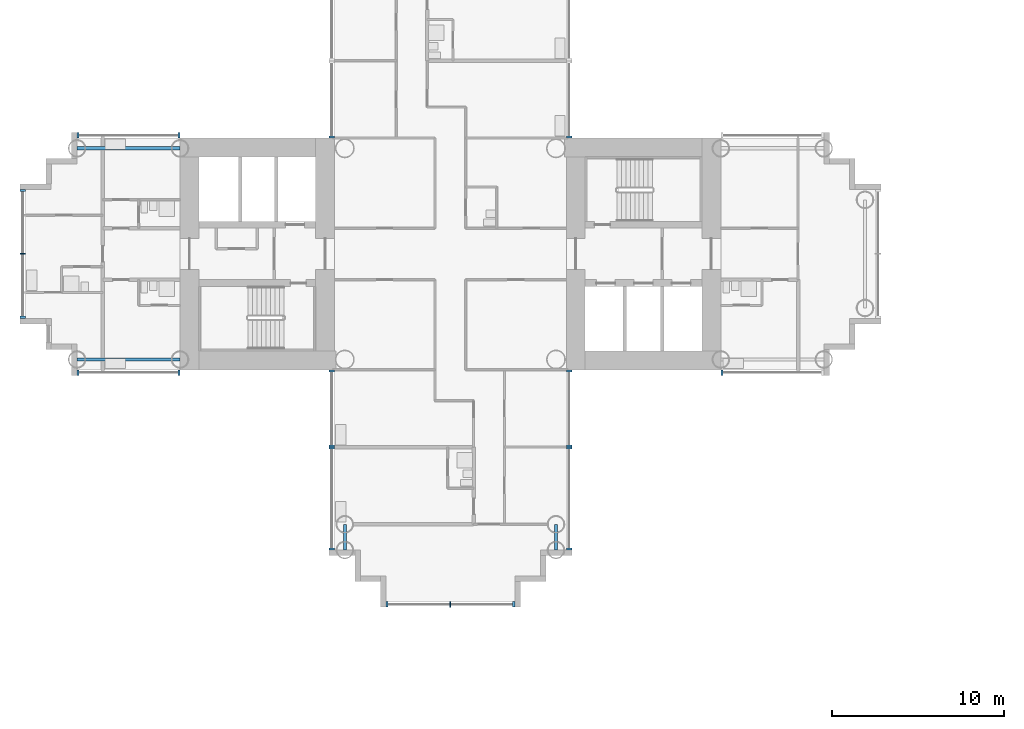
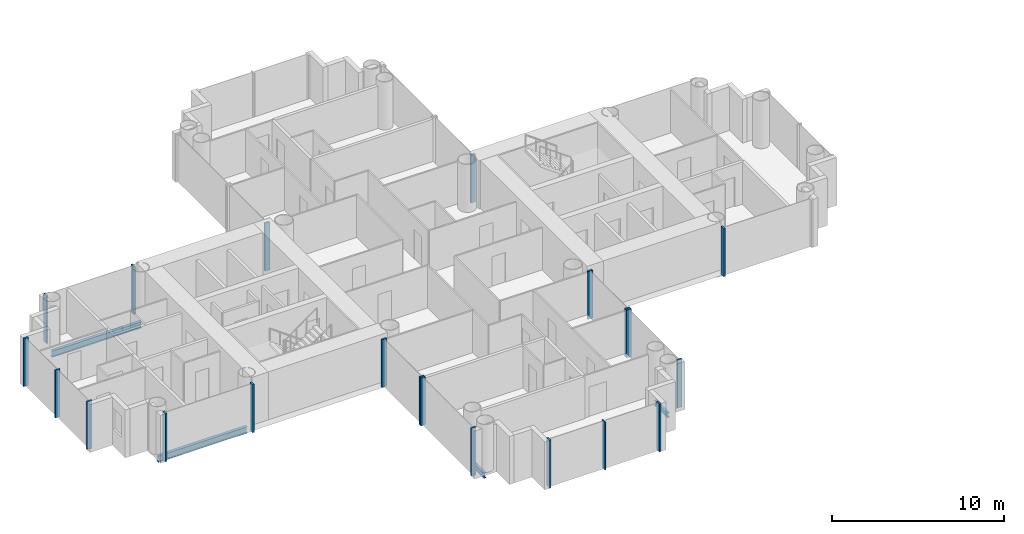
# One storey, part 3 of 21: 21 members, 4 beams, 11 elements without a shape of their own.
"""IFC4 building model written with IfcOpenShell, lengths in metres."""

from ifc_helpers import new_model, si_unit, direction, frame, origin, origin_2d, place, context, subcontext, project, spatial, rectangle, i_section, extrude, material, layer, layer_set, material_profile, profile_set, type_object, element, aggregate, save


model = new_model("IFC4")

# Units and contexts
model_context = context("Model", 3, precision=1e-05, world=origin(), true_north=direction((0.0, 1.0)))
body_context = subcontext(model_context, "Body", "Model", "MODEL_VIEW")
ifc_project = project(units=[si_unit("LENGTHUNIT", "METRE"), si_unit("AREAUNIT", "SQUARE_METRE"), si_unit("VOLUMEUNIT", "CUBIC_METRE"), si_unit("PLANEANGLEUNIT", "RADIAN"), si_unit("MASSUNIT", "GRAM", prefix="KILO")], contexts=[model_context])

# Site, building, storey
site_placement = place(None, origin())
site = spatial("IfcSite", under=ifc_project, at=site_placement, CompositionType="ELEMENT")
building_placement = place(site_placement, origin())
building = spatial("IfcBuilding", under=site, at=building_placement, Name="Ipe Terrace Towers", CompositionType="ELEMENT")
storey_placement = place(building_placement, frame((0.0, 0.0, 41.5)))
storey = spatial("IfcBuildingStorey", under=building, at=storey_placement, Name="L10", CompositionType="ELEMENT", Elevation=41.5)

# Beams
ifc_material_1 = material(Name="Steel S355", Category="steel")
ifc_material_profile_1 = material_profile(ifc_material_1, i_section(OverallWidth=0.175048828125, OverallDepth=0.35009765625, WebThickness=0.007080078125, FlangeThickness=0.010986328125, at=origin_2d()), Name="H-350x175x7x11")
ifc_profile_set_1 = profile_set([ifc_material_profile_1], Name="Steel S355")
beam_type_1 = type_object("IfcBeamType", Name="H04 EDGE BEAM H-350x175x7x11", PredefinedType="BEAM", material=ifc_profile_set_1)
for number, where, z_axis, x_axis, name in (
    (1, (-42.14990234375, -15.75, -0.574951171875), (0.0, -1.0, 0.0), (1.0, 0.0, 0.0), "Edge beam T1-EB-D03-D05"),
    (2, (-29.85009765625, -15.75, -0.574951171875), (0.0, -1.0, 0.0), (1.0, 0.0, 0.0), "Edge beam T1-EB-D04-D06"),
):
    element("IfcBeam", number, at=place(storey_placement, frame(where, z_axis=z_axis, x_axis=x_axis)), inside=storey, type_object=beam_type_1, Name=name, PredefinedType="BEAM", context=body_context, shape_type="SweptSolid", body=[
        extrude(i_section(OverallWidth=0.175048828125, OverallDepth=0.35009765625, WebThickness=0.007080078125, FlangeThickness=0.010986328125, at=origin_2d()), origin(), (0.0, 0.0, 1.0), 1.5),
    ])
ifc_material_2 = material(Name="Steel S355", Category="steel")
ifc_material_profile_2 = material_profile(ifc_material_2, i_section(OverallWidth=0.199951171875, OverallDepth=0.449951171875, WebThickness=0.009033203125, FlangeThickness=0.013916015625, at=origin_2d()), Name="H-450x200x9x14")
ifc_profile_set_2 = profile_set([ifc_material_profile_2], Name="Steel S355")
beam_type_2 = type_object("IfcBeamType", Name="H08 EDGE BEAM H-450x200x9x14", PredefinedType="BEAM", material=ifc_profile_set_2)
for number, where, z_axis, x_axis, name in (
    (3, (-51.75, -6.14990234375, -0.625), (-1.0, 0.0, 0.0), (0.0, -1.0, 0.0), "Edge beam T1-EB-C01-C03"),
    (4, (-51.75, 6.14990234375, -0.625), (-1.0, 0.0, 0.0), (0.0, -1.0, 0.0), "Edge beam T1-EB-C02-C04"),
):
    element("IfcBeam", number, at=place(storey_placement, frame(where, z_axis=z_axis, x_axis=x_axis)), inside=storey, type_object=beam_type_2, Name=name, PredefinedType="BEAM", context=body_context, shape_type="SweptSolid", body=[
        extrude(i_section(OverallWidth=0.199951171875, OverallDepth=0.449951171875, WebThickness=0.009033203125, FlangeThickness=0.013916015625, at=origin_2d()), origin(), (0.0, 0.0, 1.0), 6.0),
    ])

# Curtain wall, members
ifc_material_3 = material(Name="Aluminium alloy 6063-T6", Category="aluminium")
ifc_layer = layer(ifc_material_3, 0.320068359375)
ifc_layer_set = layer_set([ifc_layer], Name="TOWER UNITISED CURTAIN WALL")
curtain_wall_type = type_object("IfcCurtainWallType", Name="TOWER UNITISED CURTAIN WALL", PredefinedType="NOTDEFINED", material=ifc_layer_set)
curtain_wall_1_placement = place(storey_placement, origin())
curtain_wall_1 = element("IfcCurtainWall", 5, at=curtain_wall_1_placement, inside=storey, type_object=curtain_wall_type, Name="T1-CW-L10-04a curtain wall", PredefinedType="NOTDEFINED")
ifc_material_4 = material(Name="Aluminium alloy 6063-T6", Category="aluminium")
ifc_material_profile_3 = material_profile(ifc_material_4, rectangle(XDim=0.320068359375, YDim=0.1201171875, at=origin_2d()), Name="TOWER UNITISED CORNER MULLION 320 x 120")
ifc_profile_set_3 = profile_set([ifc_material_profile_3], Name="Aluminium alloy 6063-T6")
member_type_1 = type_object("IfcMemberType", Name="TOWER UNITISED CORNER MULLION 320 x 120", PredefinedType="MULLION", material=ifc_profile_set_3)
member_1_placement = place(storey_placement, frame((-57.68994140625, -6.909912109375, -0.300048828125), z_axis=(0.0, 0.0, 1.0), x_axis=(0.0, -1.0, 0.0)))
member_1 = element("IfcMember", 6, at=member_1_placement, type_object=member_type_1, Name="T1-CW-L10-04a mullion 1", PredefinedType="MULLION", context=body_context, shape_type="SweptSolid", body=[
    extrude(rectangle(XDim=0.320068359375, YDim=0.1201171875, at=origin_2d()), origin(), (0.0, 0.0, 1.0), 3.400146484375),
])
member_2_placement = place(storey_placement, frame((-51.81103515625, -6.909912109375, -0.300048828125), z_axis=(0.0, 0.0, 1.0), x_axis=(0.0, -1.0, 0.0)))
member_2 = element("IfcMember", 7, at=member_2_placement, type_object=member_type_1, Name="T1-CW-L10-04a mullion 2", PredefinedType="MULLION", context=body_context, shape_type="SweptSolid", body=[
    extrude(rectangle(XDim=0.320068359375, YDim=0.1201171875, at=origin_2d()), origin(), (0.0, 0.0, 1.0), 3.400146484375),
])
aggregate(curtain_wall_1, [member_1, member_2])

curtain_wall_2_placement = place(storey_placement, origin())
curtain_wall_2 = element("IfcCurtainWall", 8, at=curtain_wall_2_placement, inside=storey, type_object=curtain_wall_type, Name="T1-CW-L10-06a curtain wall", PredefinedType="NOTDEFINED")
member_3_placement = place(storey_placement, frame((-42.909912109375, -6.81005859375, -0.300048828125), z_axis=(0.0, 0.0, 1.0), x_axis=(-1.0, 0.0, 0.0)))
member_3 = element("IfcMember", 9, at=member_3_placement, type_object=member_type_1, Name="T1-CW-L10-06a mullion 1", PredefinedType="MULLION", context=body_context, shape_type="SweptSolid", body=[
    extrude(rectangle(XDim=0.320068359375, YDim=0.1201171875, at=origin_2d()), origin(), (0.0, 0.0, 1.0), 3.400146484375),
])
member_4_placement = place(storey_placement, frame((-42.909912109375, -11.18994140625, -0.300048828125), z_axis=(0.0, 0.0, 1.0), x_axis=(-1.0, 0.0, 0.0)))
member_4 = element("IfcMember", 10, at=member_4_placement, type_object=member_type_1, Name="T1-CW-L10-06a mullion 2", PredefinedType="MULLION", context=body_context, shape_type="SweptSolid", body=[
    extrude(rectangle(XDim=0.320068359375, YDim=0.1201171875, at=origin_2d()), origin(), (0.0, 0.0, 1.0), 3.400146484375),
])
aggregate(curtain_wall_2, [member_3, member_4])

curtain_wall_3_placement = place(storey_placement, origin())
curtain_wall_3 = element("IfcCurtainWall", 11, at=curtain_wall_3_placement, inside=storey, type_object=curtain_wall_type, Name="T1-CW-L10-07a curtain wall", PredefinedType="NOTDEFINED")
member_5_placement = place(storey_placement, frame((-42.909912109375, -11.31005859375, -0.300048828125), z_axis=(0.0, 0.0, 1.0), x_axis=(-1.0, 0.0, 0.0)))
member_5 = element("IfcMember", 12, at=member_5_placement, type_object=member_type_1, Name="T1-CW-L10-07a mullion 1", PredefinedType="MULLION", context=body_context, shape_type="SweptSolid", body=[
    extrude(rectangle(XDim=0.320068359375, YDim=0.1201171875, at=origin_2d()), origin(), (0.0, 0.0, 1.0), 3.400146484375),
])
member_6_placement = place(storey_placement, frame((-42.909912109375, -17.18994140625, -0.300048828125), z_axis=(0.0, 0.0, 1.0), x_axis=(-1.0, 0.0, 0.0)))
member_6 = element("IfcMember", 13, at=member_6_placement, type_object=member_type_1, Name="T1-CW-L10-07a mullion 2", PredefinedType="MULLION", context=body_context, shape_type="SweptSolid", body=[
    extrude(rectangle(XDim=0.320068359375, YDim=0.1201171875, at=origin_2d()), origin(), (0.0, 0.0, 1.0), 3.400146484375),
])
aggregate(curtain_wall_3, [member_5, member_6])

curtain_wall_4_placement = place(storey_placement, origin())
curtain_wall_4 = element("IfcCurtainWall", 14, at=curtain_wall_4_placement, inside=storey, type_object=curtain_wall_type, Name="T1-CW-L10-12a curtain wall", PredefinedType="NOTDEFINED")
member_7_placement = place(storey_placement, frame((-39.68994140625, -20.409912109375, -0.300048828125), z_axis=(0.0, 0.0, 1.0), x_axis=(0.0, -1.0, 0.0)))
member_7 = element("IfcMember", 15, at=member_7_placement, type_object=member_type_1, Name="T1-CW-L10-12a mullion 1", PredefinedType="MULLION", context=body_context, shape_type="SweptSolid", body=[
    extrude(rectangle(XDim=0.320068359375, YDim=0.1201171875, at=origin_2d()), origin(), (0.0, 0.0, 1.0), 3.400146484375),
])
member_8_placement = place(storey_placement, frame((-32.31005859375, -20.409912109375, -0.300048828125), z_axis=(0.0, 0.0, 1.0), x_axis=(0.0, -1.0, 0.0)))
member_8 = element("IfcMember", 16, at=member_8_placement, type_object=member_type_1, Name="T1-CW-L10-12a mullion 3", PredefinedType="MULLION", context=body_context, shape_type="SweptSolid", body=[
    extrude(rectangle(XDim=0.320068359375, YDim=0.1201171875, at=origin_2d()), origin(), (0.0, 0.0, 1.0), 3.400146484375),
])

curtain_wall_5_placement = place(storey_placement, origin())
curtain_wall_5 = element("IfcCurtainWall", 17, at=curtain_wall_5_placement, inside=storey, type_object=curtain_wall_type, Name="T1-CW-L10-17a curtain wall", PredefinedType="NOTDEFINED")
member_9_placement = place(storey_placement, frame((-29.090087890625, -17.18994140625, -0.300048828125), z_axis=(0.0, 0.0, 1.0), x_axis=(1.0, 0.0, 0.0)))
member_9 = element("IfcMember", 18, at=member_9_placement, type_object=member_type_1, Name="T1-CW-L10-17a mullion 1", PredefinedType="MULLION", context=body_context, shape_type="SweptSolid", body=[
    extrude(rectangle(XDim=0.320068359375, YDim=0.1201171875, at=origin_2d()), origin(), (0.0, 0.0, 1.0), 3.400146484375),
])
member_10_placement = place(storey_placement, frame((-29.090087890625, -11.31005859375, -0.300048828125), z_axis=(0.0, 0.0, 1.0), x_axis=(1.0, 0.0, 0.0)))
member_10 = element("IfcMember", 19, at=member_10_placement, type_object=member_type_1, Name="T1-CW-L10-17a mullion 2", PredefinedType="MULLION", context=body_context, shape_type="SweptSolid", body=[
    extrude(rectangle(XDim=0.320068359375, YDim=0.1201171875, at=origin_2d()), origin(), (0.0, 0.0, 1.0), 3.400146484375),
])
aggregate(curtain_wall_5, [member_9, member_10])

curtain_wall_6_placement = place(storey_placement, origin())
curtain_wall_6 = element("IfcCurtainWall", 20, at=curtain_wall_6_placement, inside=storey, type_object=curtain_wall_type, Name="T1-CW-L10-18a curtain wall", PredefinedType="NOTDEFINED")
member_11_placement = place(storey_placement, frame((-29.090087890625, -11.18994140625, -0.300048828125), z_axis=(0.0, 0.0, 1.0), x_axis=(1.0, 0.0, 0.0)))
member_11 = element("IfcMember", 21, at=member_11_placement, type_object=member_type_1, Name="T1-CW-L10-18a mullion 1", PredefinedType="MULLION", context=body_context, shape_type="SweptSolid", body=[
    extrude(rectangle(XDim=0.320068359375, YDim=0.1201171875, at=origin_2d()), origin(), (0.0, 0.0, 1.0), 3.400146484375),
])
member_12_placement = place(storey_placement, frame((-29.090087890625, -6.81005859375, -0.300048828125), z_axis=(0.0, 0.0, 1.0), x_axis=(1.0, 0.0, 0.0)))
member_12 = element("IfcMember", 22, at=member_12_placement, type_object=member_type_1, Name="T1-CW-L10-18a mullion 2", PredefinedType="MULLION", context=body_context, shape_type="SweptSolid", body=[
    extrude(rectangle(XDim=0.320068359375, YDim=0.1201171875, at=origin_2d()), origin(), (0.0, 0.0, 1.0), 3.400146484375),
])
aggregate(curtain_wall_6, [member_11, member_12])

# Curtain wall, member
curtain_wall_7_placement = place(storey_placement, origin())
curtain_wall_7 = element("IfcCurtainWall", 23, at=curtain_wall_7_placement, inside=storey, type_object=curtain_wall_type, Name="T1-CW-L10-20b curtain wall", PredefinedType="NOTDEFINED")
member_13_placement = place(storey_placement, frame((-20.18896484375, -6.909912109375, -0.300048828125), z_axis=(0.0, 0.0, 1.0), x_axis=(0.0, -1.0, 0.0)))
member_13 = element("IfcMember", 24, at=member_13_placement, type_object=member_type_1, Name="T1-CW-L10-20b mullion 1", PredefinedType="MULLION", context=body_context, shape_type="SweptSolid", body=[
    extrude(rectangle(XDim=0.320068359375, YDim=0.1201171875, at=origin_2d()), origin(), (0.0, 0.0, 1.0), 3.400146484375),
])
aggregate(curtain_wall_7, [member_13])

curtain_wall_8_placement = place(storey_placement, origin())
curtain_wall_8 = element("IfcCurtainWall", 25, at=curtain_wall_8_placement, inside=storey, type_object=curtain_wall_type, Name="T1-CW-L10-32a curtain wall", PredefinedType="NOTDEFINED")
member_14_placement = place(storey_placement, frame((-29.090087890625, 6.81005859375, -0.300048828125), z_axis=(0.0, 0.0, 1.0), x_axis=(1.0, 0.0, 0.0)))
member_14 = element("IfcMember", 26, at=member_14_placement, type_object=member_type_1, Name="T1-CW-L10-32a mullion 1", PredefinedType="MULLION", context=body_context, shape_type="SweptSolid", body=[
    extrude(rectangle(XDim=0.320068359375, YDim=0.1201171875, at=origin_2d()), origin(), (0.0, 0.0, 1.0), 3.400146484375),
])
aggregate(curtain_wall_8, [member_14])

curtain_wall_9_placement = place(storey_placement, origin())
curtain_wall_9 = element("IfcCurtainWall", 27, at=curtain_wall_9_placement, inside=storey, type_object=curtain_wall_type, Name="T1-CW-L10-44a curtain wall", PredefinedType="NOTDEFINED")
member_15_placement = place(storey_placement, frame((-42.909912109375, 6.81005859375, -0.300048828125), z_axis=(0.0, 0.0, 1.0), x_axis=(-1.0, 0.0, 0.0)))
member_15 = element("IfcMember", 28, at=member_15_placement, type_object=member_type_1, Name="T1-CW-L10-44a mullion 2", PredefinedType="MULLION", context=body_context, shape_type="SweptSolid", body=[
    extrude(rectangle(XDim=0.320068359375, YDim=0.1201171875, at=origin_2d()), origin(), (0.0, 0.0, 1.0), 3.400146484375),
])
aggregate(curtain_wall_9, [member_15])

# Curtain wall, members
curtain_wall_10_placement = place(storey_placement, origin())
curtain_wall_10 = element("IfcCurtainWall", 29, at=curtain_wall_10_placement, inside=storey, type_object=curtain_wall_type, Name="T1-CW-L10-46b curtain wall", PredefinedType="NOTDEFINED")
member_16_placement = place(storey_placement, frame((-51.81103515625, 6.909912109375, -0.300048828125), z_axis=(0.0, 0.0, 1.0), x_axis=(0.0, 1.0, 0.0)))
member_16 = element("IfcMember", 30, at=member_16_placement, type_object=member_type_1, Name="T1-CW-L10-46b mullion 1", PredefinedType="MULLION", context=body_context, shape_type="SweptSolid", body=[
    extrude(rectangle(XDim=0.320068359375, YDim=0.1201171875, at=origin_2d()), origin(), (0.0, 0.0, 1.0), 3.400146484375),
])
member_17_placement = place(storey_placement, frame((-57.68994140625, 6.909912109375, -0.300048828125), z_axis=(0.0, 0.0, 1.0), x_axis=(0.0, 1.0, 0.0)))
member_17 = element("IfcMember", 31, at=member_17_placement, type_object=member_type_1, Name="T1-CW-L10-46b mullion 2", PredefinedType="MULLION", context=body_context, shape_type="SweptSolid", body=[
    extrude(rectangle(XDim=0.320068359375, YDim=0.1201171875, at=origin_2d()), origin(), (0.0, 0.0, 1.0), 3.400146484375),
])
aggregate(curtain_wall_10, [member_16, member_17])

curtain_wall_11_placement = place(storey_placement, origin())
curtain_wall_11 = element("IfcCurtainWall", 32, at=curtain_wall_11_placement, inside=storey, type_object=curtain_wall_type, Name="T1-CW-L10-51a curtain wall", PredefinedType="NOTDEFINED")
member_18_placement = place(storey_placement, frame((-60.909912109375, 3.68994140625, -0.300048828125), z_axis=(0.0, 0.0, 1.0), x_axis=(-1.0, 0.0, 0.0)))
member_18 = element("IfcMember", 33, at=member_18_placement, type_object=member_type_1, Name="T1-CW-L10-51a mullion 1", PredefinedType="MULLION", context=body_context, shape_type="SweptSolid", body=[
    extrude(rectangle(XDim=0.320068359375, YDim=0.1201171875, at=origin_2d()), origin(), (0.0, 0.0, 1.0), 3.400146484375),
])
member_19_placement = place(storey_placement, frame((-60.909912109375, -3.68994140625, -0.300048828125), z_axis=(0.0, 0.0, 1.0), x_axis=(-1.0, 0.0, 0.0)))
member_19 = element("IfcMember", 34, at=member_19_placement, type_object=member_type_1, Name="T1-CW-L10-51a mullion 3", PredefinedType="MULLION", context=body_context, shape_type="SweptSolid", body=[
    extrude(rectangle(XDim=0.320068359375, YDim=0.1201171875, at=origin_2d()), origin(), (0.0, 0.0, 1.0), 3.400146484375),
])

# Member
ifc_material_5 = material(Name="Aluminium alloy 6063-T6", Category="aluminium")
ifc_material_profile_4 = material_profile(ifc_material_5, rectangle(XDim=0.320068359375, YDim=0.06494140625, at=origin_2d()), Name="TOWER UNITISED MULLION 320 x 65")
ifc_profile_set_4 = profile_set([ifc_material_profile_4], Name="Aluminium alloy 6063-T6")
member_type_2 = type_object("IfcMemberType", Name="TOWER UNITISED MULLION 320 x 65", PredefinedType="MULLION", material=ifc_profile_set_4)
member_20_placement = place(storey_placement, frame((-36.0, -20.409912109375, -0.300048828125), z_axis=(0.0, 0.0, 1.0), x_axis=(0.0, -1.0, 0.0)))
member_20 = element("IfcMember", 35, at=member_20_placement, type_object=member_type_2, Name="T1-CW-L10-12a mullion 2", PredefinedType="MULLION", context=body_context, shape_type="SweptSolid", body=[
    extrude(rectangle(XDim=0.320068359375, YDim=0.06494140625, at=origin_2d()), origin(), (0.0, 0.0, 1.0), 3.400146484375),
])

aggregate(curtain_wall_4, [member_7, member_20, member_8])

member_21_placement = place(storey_placement, frame((-60.909912109375, 0.0, -0.300048828125), z_axis=(0.0, 0.0, 1.0), x_axis=(-1.0, 0.0, 0.0)))
member_21 = element("IfcMember", 36, at=member_21_placement, type_object=member_type_2, Name="T1-CW-L10-51a mullion 2", PredefinedType="MULLION", context=body_context, shape_type="SweptSolid", body=[
    extrude(rectangle(XDim=0.320068359375, YDim=0.06494140625, at=origin_2d()), origin(), (0.0, 0.0, 1.0), 3.400146484375),
])

aggregate(curtain_wall_11, [member_18, member_21, member_19])

save(model, "model.ifc")
